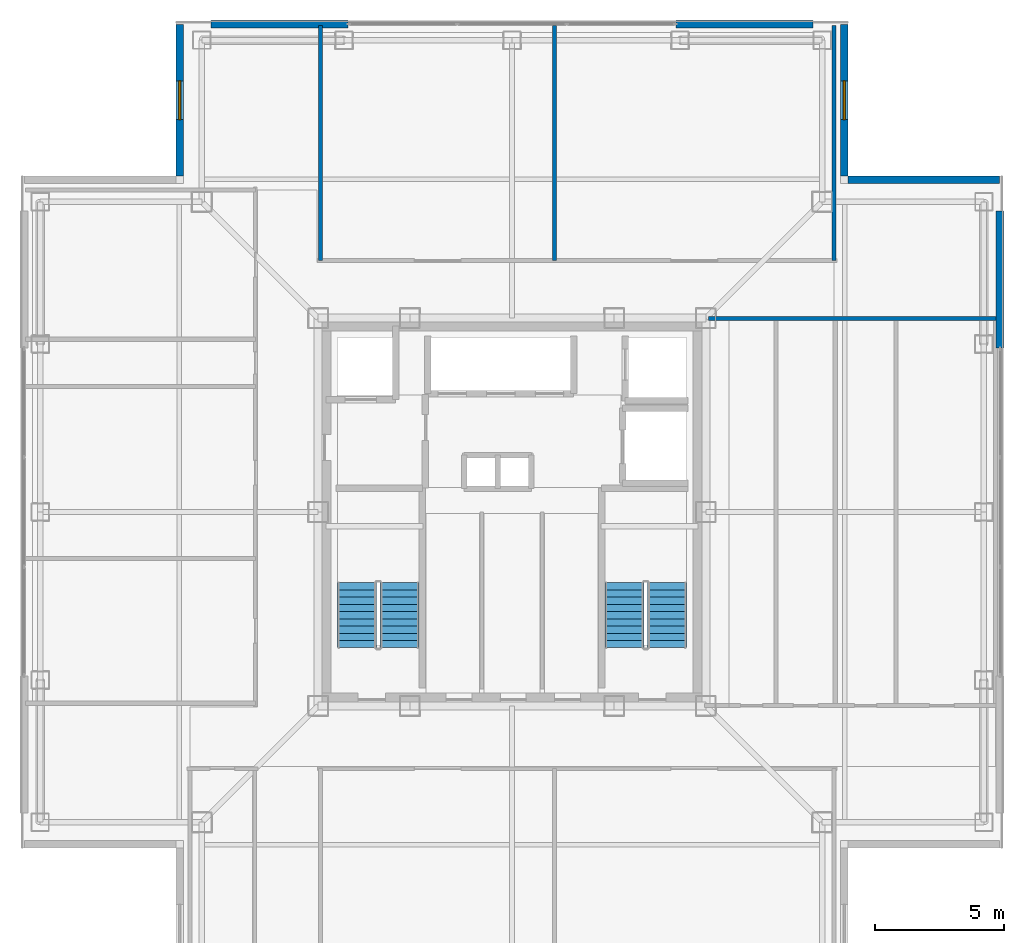
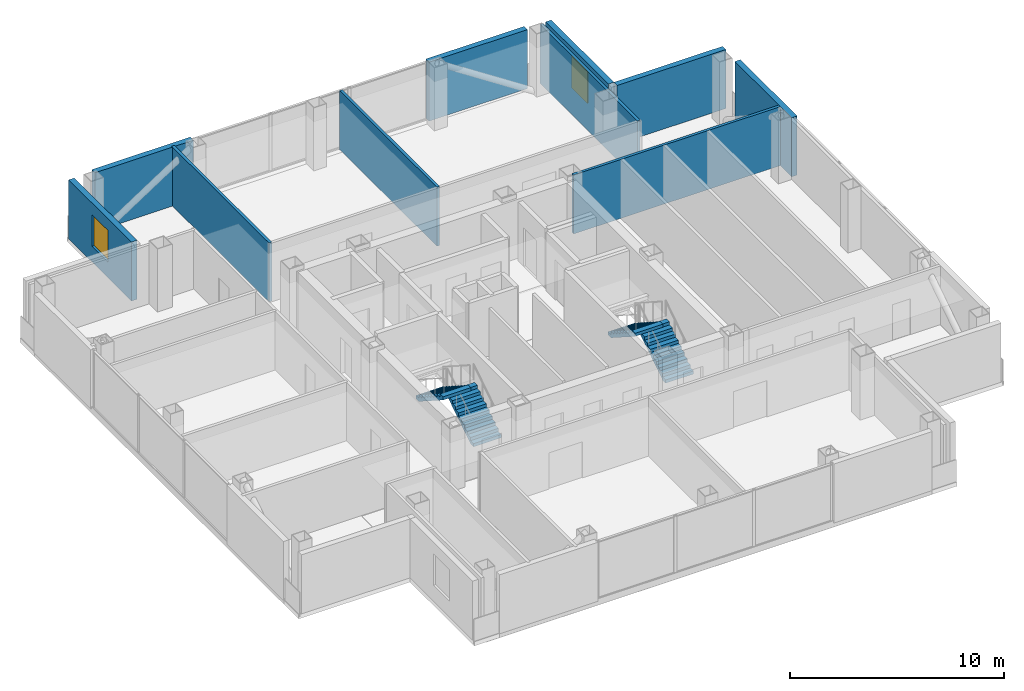
# One storey, part 10 of 16: 10 walls, 4 stair flights, 2 windows, 2 openings, 2 elements without a shape of their own.
"""IFC4 building model written with IfcOpenShell, lengths in metres."""

from ifc_helpers import new_model, si_unit, direction, frame, frame_2d, origin, place, context, subcontext, project, spatial, polyline, rectangle, outline, extrude, material, layer, layer_set, type_object, element, fill, aggregate, save


model = new_model("IFC4")

# Units and contexts
model_context = context("Model", 3, precision=1e-05, world=origin(), true_north=direction((0.0, 1.0)))
body_context = subcontext(model_context, "Body", "Model", "MODEL_VIEW")
ifc_project = project(units=[si_unit("LENGTHUNIT", "METRE"), si_unit("AREAUNIT", "SQUARE_METRE"), si_unit("VOLUMEUNIT", "CUBIC_METRE"), si_unit("PLANEANGLEUNIT", "RADIAN"), si_unit("MASSUNIT", "GRAM", prefix="KILO")], contexts=[model_context])

# Site, building, storey
site_placement = place(None, origin())
site = spatial("IfcSite", under=ifc_project, at=site_placement, CompositionType="ELEMENT")
building_placement = place(site_placement, origin())
building = spatial("IfcBuilding", under=site, at=building_placement, Name="Trevonay Congress Spire", CompositionType="ELEMENT")
storey_placement = place(building_placement, frame((0.0, 0.0, 279.199951171875)))
storey = spatial("IfcBuildingStorey", under=building, at=storey_placement, Name="L73", CompositionType="ELEMENT", Elevation=279.199951171875)

# Walls
ifc_material_1 = material(Name="Precast concrete C40/50", Category="concrete")
ifc_layer_1 = layer(ifc_material_1, 0.300048828125, Name="Precast concrete C40/50")
ifc_layer_set_1 = layer_set([ifc_layer_1], Name="Precast concrete C40/50")
wall_type_1 = type_object("IfcWallType", Name="WAL-EXT-PRECAST-300", PredefinedType="SOLIDWALL", material=ifc_layer_set_1)
for number, where, z_axis, x_axis, name in (
    (1, (-11.64990234375, 18.8798828125, 0.0), (0.0, 0.0, 1.0), (1.0, 0.0, 0.0), "L73 NL braced-bay exterior pier wall"),
    (2, (6.35009765625, 18.8798828125, 0.0), (0.0, 0.0, 1.0), (1.0, 0.0, 0.0), "L73 NR braced-bay exterior pier wall"),
    (3, (18.8798828125, 6.35009765625, 0.0), (0.0, 0.0, 1.0), (0.0, 1.0, 0.0), "L73 ER braced-bay exterior pier wall"),
):
    element("IfcWall", number, at=place(storey_placement, frame(where, z_axis=z_axis, x_axis=x_axis)), inside=storey, type_object=wall_type_1, Name=name, PredefinedType="SOLIDWALL", context=body_context, shape_type="SweptSolid", body=[
        extrude(rectangle(XDim=5.2998046875, YDim=0.300048828125, at=frame_2d((2.64990234375, 0.0))), origin(), (0.0, 0.0, 1.0), 3.360107421875),
    ])

# Wall, opening, window
wall_1_placement = place(storey_placement, frame((12.85009765625, 18.85009765625, 0.0), z_axis=(0.0, 0.0, 1.0), x_axis=(0.0, -1.0, 0.0)))
wall_1 = element("IfcWall", 4, at=wall_1_placement, inside=storey, type_object=wall_type_1, Name="L73 NE re-entrant notch exterior wall 1", PredefinedType="SOLIDWALL", context=body_context, shape_type="SweptSolid", body=[
    extrude(rectangle(XDim=5.85009765625, YDim=0.300048828125, at=frame_2d((2.925048828125, 0.0))), origin(), (0.0, 0.0, 1.0), 3.360107421875),
])
opening_1_placement = place(wall_1_placement, frame((2.175048828125, 0.0, 0.89990234375)))
opening_1 = element("IfcOpeningElement", 5, at=opening_1_placement, cuts=wall_1, Name="Opening WN03", PredefinedType="OPENING", context=body_context, shape_type="SweptSolid", body=[
    extrude(rectangle(XDim=1.5, YDim=1.800048828125, at=frame_2d((0.75, 0.89990234375))), frame((0.0, 0.16015625, 0.0), z_axis=(0.0, -1.0, 0.0), x_axis=(1.0, 0.0, 0.0)), (0.0, 0.0, 1.0), 0.320068359375),
])
ifc_material_2 = material(Name="Insulated Low-E Vision Glass IGU", Category="glass")
window_type = type_object("IfcWindowType", Name="WIN-NOTCH-150X180", PartitioningType="SINGLE_PANEL", PredefinedType="WINDOW", material=ifc_material_2)
window_1_placement = place(opening_1_placement, origin())
window_1 = element("IfcWindow", 6, at=window_1_placement, inside=storey, type_object=window_type, Name="L73 NE corner notch window", OverallHeight=1.800048828125, OverallWidth=1.5, PartitioningType="SINGLE_PANEL", PredefinedType="WINDOW", context=body_context, shape_type="SweptSolid", body=[
    extrude(rectangle(XDim=1.5, YDim=1.800048828125, at=frame_2d((0.75, 0.89990234375))), frame((0.0, 0.030029296875, 0.0), z_axis=(0.0, -1.0, 0.0), x_axis=(1.0, 0.0, 0.0)), (0.0, 0.0, 1.0), 0.06005859375),
])
fill(opening_1, window_1)

# Wall
wall_2_placement = place(storey_placement, frame((18.85009765625, 12.85009765625, 0.0), z_axis=(0.0, 0.0, 1.0), x_axis=(-1.0, 0.0, 0.0)))
element("IfcWall", 7, at=wall_2_placement, inside=storey, type_object=wall_type_1, Name="L73 NE re-entrant notch exterior wall 2", PredefinedType="SOLIDWALL", context=body_context, shape_type="SweptSolid", body=[
    extrude(rectangle(XDim=5.85009765625, YDim=0.300048828125, at=frame_2d((2.925048828125, 0.0))), origin(), (0.0, 0.0, 1.0), 3.360107421875),
])

# Wall, opening, window
wall_3_placement = place(storey_placement, frame((-12.85009765625, 18.85009765625, 0.0), z_axis=(0.0, 0.0, 1.0), x_axis=(0.0, -1.0, 0.0)))
wall_3 = element("IfcWall", 8, at=wall_3_placement, inside=storey, type_object=wall_type_1, Name="L73 NW re-entrant notch exterior wall 1", PredefinedType="SOLIDWALL", context=body_context, shape_type="SweptSolid", body=[
    extrude(rectangle(XDim=5.85009765625, YDim=0.300048828125, at=frame_2d((2.925048828125, 0.0))), origin(), (0.0, 0.0, 1.0), 3.360107421875),
])
opening_2_placement = place(wall_3_placement, frame((2.175048828125, 0.0, 0.89990234375)))
opening_2 = element("IfcOpeningElement", 9, at=opening_2_placement, cuts=wall_3, Name="Opening WN03", PredefinedType="OPENING", context=body_context, shape_type="SweptSolid", body=[
    extrude(rectangle(XDim=1.5, YDim=1.800048828125, at=frame_2d((0.75, 0.89990234375))), frame((0.0, 0.16015625, 0.0), z_axis=(0.0, -1.0, 0.0), x_axis=(1.0, 0.0, 0.0)), (0.0, 0.0, 1.0), 0.320068359375),
])
window_2_placement = place(opening_2_placement, origin())
window_2 = element("IfcWindow", 10, at=window_2_placement, inside=storey, type_object=window_type, Name="L73 NW corner notch window", OverallHeight=1.800048828125, OverallWidth=1.5, PartitioningType="SINGLE_PANEL", PredefinedType="WINDOW", context=body_context, shape_type="SweptSolid", body=[
    extrude(rectangle(XDim=1.5, YDim=1.800048828125, at=frame_2d((0.75, 0.89990234375))), frame((0.0, 0.030029296875, 0.0), z_axis=(0.0, -1.0, 0.0), x_axis=(1.0, 0.0, 0.0)), (0.0, 0.0, 1.0), 0.06005859375),
])
fill(opening_2, window_2)

# Walls
ifc_material_3 = material(Name="Concrete C40/50", Category="concrete")
ifc_layer_2 = layer(ifc_material_3, 0.14990234375, Name="Concrete C40/50")
ifc_layer_set_2 = layer_set([ifc_layer_2], Name="Concrete C40/50")
wall_type_2 = type_object("IfcWallType", Name="WAL-PART-150", PredefinedType="PARTITIONING", material=ifc_layer_set_2)
for number, where, z_axis, x_axis, name in (
    (11, (-7.39990234375, 9.72998046875, 0.0), (0.0, 0.0, 1.0), (0.0, 1.0, 0.0), "L73 interior wall WP-L73N-DIV1"),
    (12, (1.64990234375, 9.72998046875, 0.0), (0.0, 0.0, 1.0), (0.0, 1.0, 0.0), "L73 interior wall WP-L73N-DIV2"),
    (13, (12.449951171875, 9.72998046875, 0.0), (0.0, 0.0, 1.0), (0.0, 1.0, 0.0), "L73 interior wall WP-L73N-DIV3"),
):
    element("IfcWall", number, at=place(storey_placement, frame(where, z_axis=z_axis, x_axis=x_axis)), inside=storey, type_object=wall_type_2, Name=name, PredefinedType="PARTITIONING", context=body_context, shape_type="SweptSolid", body=[
        extrude(rectangle(XDim=9.090087890625, YDim=0.14990234375, at=frame_2d((4.544921875, 0.0))), origin(), (0.0, 0.0, 1.0), 3.360107421875),
    ])
wall_4_placement = place(storey_placement, frame((7.60009765625, 7.47998046875, 0.0), z_axis=(0.0, 0.0, 1.0), x_axis=(1.0, 0.0, 0.0)))
element("IfcWall", 14, at=wall_4_placement, inside=storey, type_object=wall_type_2, Name="L73 interior wall WP-L73E-NCLS", PredefinedType="PARTITIONING", context=body_context, shape_type="SweptSolid", body=[
    extrude(rectangle(XDim=11.219970703125, YDim=0.14990234375, at=frame_2d((5.60986328125, 0.0))), origin(), (0.0, 0.0, 1.0), 3.360107421875),
])

# Stair, stair flights
stair_type_1 = type_object("IfcStairType", Name="STR-ST-1", PredefinedType="HALF_TURN_STAIR", material=ifc_material_3)
stair_1_placement = place(storey_placement, origin())
stair_1 = element("IfcStair", 15, at=stair_1_placement, inside=storey, type_object=stair_type_1, Name="L73 Protected Exit Stair ST-1", PredefinedType="HALF_TURN_STAIR")
stair_flight_type_1 = type_object("IfcStairFlightType", Name="SFL-ST-1", PredefinedType="STRAIGHT", material=ifc_material_3)
stair_flight_1_placement = place(storey_placement, frame((-4.35009765625, -5.25, 0.0), z_axis=(0.0, 0.0, 1.0), x_axis=(0.0, 1.0, 0.0)))
stair_flight_1 = element("IfcStairFlight", 16, at=stair_flight_1_placement, type_object=stair_flight_type_1, Name="ST-1 flight 1", NumberOfRisers=10, NumberOfTreads=9, PredefinedType="STRAIGHT", RiserHeight=0.18, TreadLength=0.28, context=body_context, shape_type="SweptSolid", body=[
    extrude(outline(polyline([(0.0, 0.0), (0.0, 0.179931640625), (0.280029296875, 0.179931640625), (0.280029296875, 0.360107421875), (0.56005859375, 0.360107421875), (0.56005859375, 0.5400390625), (0.840087890625, 0.5400390625), (0.840087890625, 0.719970703125), (1.1201171875, 0.719970703125), (1.1201171875, 0.89990234375), (1.39990234375, 0.89990234375), (1.39990234375, 1.080078125), (1.679931640625, 1.080078125), (1.679931640625, 1.260009765625), (1.9599609375, 1.260009765625), (1.9599609375, 1.43994140625), (2.239990234375, 1.43994140625), (2.239990234375, 1.6201171875), (2.52001953125, 1.6201171875), (2.52001953125, 1.800048828125), (2.52001953125, 1.44189453125), (0.277099609375, 0.0), (0.0, 0.0)])), frame((0.0, 0.75, 0.0), z_axis=(0.0, -1.0, 0.0), x_axis=(1.0, 0.0, 0.0)), (0.0, 0.0, 1.0), 1.5),
])
stair_flight_2_placement = place(storey_placement, frame((-6.0, -2.72998046875, 1.800048828125), z_axis=(0.0, 0.0, 1.0), x_axis=(0.0, -1.0, 0.0)))
stair_flight_2 = element("IfcStairFlight", 17, at=stair_flight_2_placement, type_object=stair_flight_type_1, Name="ST-1 flight 2", NumberOfRisers=10, NumberOfTreads=9, PredefinedType="STRAIGHT", RiserHeight=0.18, TreadLength=0.28, context=body_context, shape_type="SweptSolid", body=[
    extrude(outline(polyline([(0.0, 0.0), (0.0, 0.179931640625), (0.280029296875, 0.179931640625), (0.280029296875, 0.360107421875), (0.56005859375, 0.360107421875), (0.56005859375, 0.5400390625), (0.840087890625, 0.5400390625), (0.840087890625, 0.719970703125), (1.1201171875, 0.719970703125), (1.1201171875, 0.89990234375), (1.39990234375, 0.89990234375), (1.39990234375, 1.080078125), (1.679931640625, 1.080078125), (1.679931640625, 1.260009765625), (1.9599609375, 1.260009765625), (1.9599609375, 1.43994140625), (2.239990234375, 1.43994140625), (2.239990234375, 1.6201171875), (2.52001953125, 1.6201171875), (2.52001953125, 1.800048828125), (2.52001953125, 1.44189453125), (0.277099609375, 0.0), (0.0, 0.0)])), frame((0.0, 0.75, 0.0), z_axis=(0.0, -1.0, 0.0), x_axis=(1.0, 0.0, 0.0)), (0.0, 0.0, 1.0), 1.5),
])
aggregate(stair_1, [stair_flight_1, stair_flight_2])

stair_type_2 = type_object("IfcStairType", Name="STR-ST-2", PredefinedType="HALF_TURN_STAIR", material=ifc_material_3)
stair_2_placement = place(storey_placement, origin())
stair_2 = element("IfcStair", 18, at=stair_2_placement, inside=storey, type_object=stair_type_2, Name="L73 Protected Exit Stair ST-2", PredefinedType="HALF_TURN_STAIR")
stair_flight_type_2 = type_object("IfcStairFlightType", Name="SFL-ST-2", PredefinedType="STRAIGHT", material=ifc_material_3)
stair_flight_3_placement = place(storey_placement, frame((6.0, -5.25, 0.0), z_axis=(0.0, 0.0, 1.0), x_axis=(0.0, 1.0, 0.0)))
stair_flight_3 = element("IfcStairFlight", 19, at=stair_flight_3_placement, type_object=stair_flight_type_2, Name="ST-2 flight 1", NumberOfRisers=10, NumberOfTreads=9, PredefinedType="STRAIGHT", RiserHeight=0.18, TreadLength=0.28, context=body_context, shape_type="SweptSolid", body=[
    extrude(outline(polyline([(0.0, 0.0), (0.0, 0.179931640625), (0.280029296875, 0.179931640625), (0.280029296875, 0.360107421875), (0.56005859375, 0.360107421875), (0.56005859375, 0.5400390625), (0.840087890625, 0.5400390625), (0.840087890625, 0.719970703125), (1.1201171875, 0.719970703125), (1.1201171875, 0.89990234375), (1.39990234375, 0.89990234375), (1.39990234375, 1.080078125), (1.679931640625, 1.080078125), (1.679931640625, 1.260009765625), (1.9599609375, 1.260009765625), (1.9599609375, 1.43994140625), (2.239990234375, 1.43994140625), (2.239990234375, 1.6201171875), (2.52001953125, 1.6201171875), (2.52001953125, 1.800048828125), (2.52001953125, 1.44189453125), (0.277099609375, 0.0), (0.0, 0.0)])), frame((0.0, 0.75, 0.0), z_axis=(0.0, -1.0, 0.0), x_axis=(1.0, 0.0, 0.0)), (0.0, 0.0, 1.0), 1.5),
])
stair_flight_4_placement = place(storey_placement, frame((4.35009765625, -2.72998046875, 1.800048828125), z_axis=(0.0, 0.0, 1.0), x_axis=(0.0, -1.0, 0.0)))
stair_flight_4 = element("IfcStairFlight", 20, at=stair_flight_4_placement, type_object=stair_flight_type_2, Name="ST-2 flight 2", NumberOfRisers=10, NumberOfTreads=9, PredefinedType="STRAIGHT", RiserHeight=0.18, TreadLength=0.28, context=body_context, shape_type="SweptSolid", body=[
    extrude(outline(polyline([(0.0, 0.0), (0.0, 0.179931640625), (0.280029296875, 0.179931640625), (0.280029296875, 0.360107421875), (0.56005859375, 0.360107421875), (0.56005859375, 0.5400390625), (0.840087890625, 0.5400390625), (0.840087890625, 0.719970703125), (1.1201171875, 0.719970703125), (1.1201171875, 0.89990234375), (1.39990234375, 0.89990234375), (1.39990234375, 1.080078125), (1.679931640625, 1.080078125), (1.679931640625, 1.260009765625), (1.9599609375, 1.260009765625), (1.9599609375, 1.43994140625), (2.239990234375, 1.43994140625), (2.239990234375, 1.6201171875), (2.52001953125, 1.6201171875), (2.52001953125, 1.800048828125), (2.52001953125, 1.44189453125), (0.277099609375, 0.0), (0.0, 0.0)])), frame((0.0, 0.75, 0.0), z_axis=(0.0, -1.0, 0.0), x_axis=(1.0, 0.0, 0.0)), (0.0, 0.0, 1.0), 1.5),
])
aggregate(stair_2, [stair_flight_3, stair_flight_4])

save(model, "model.ifc")
